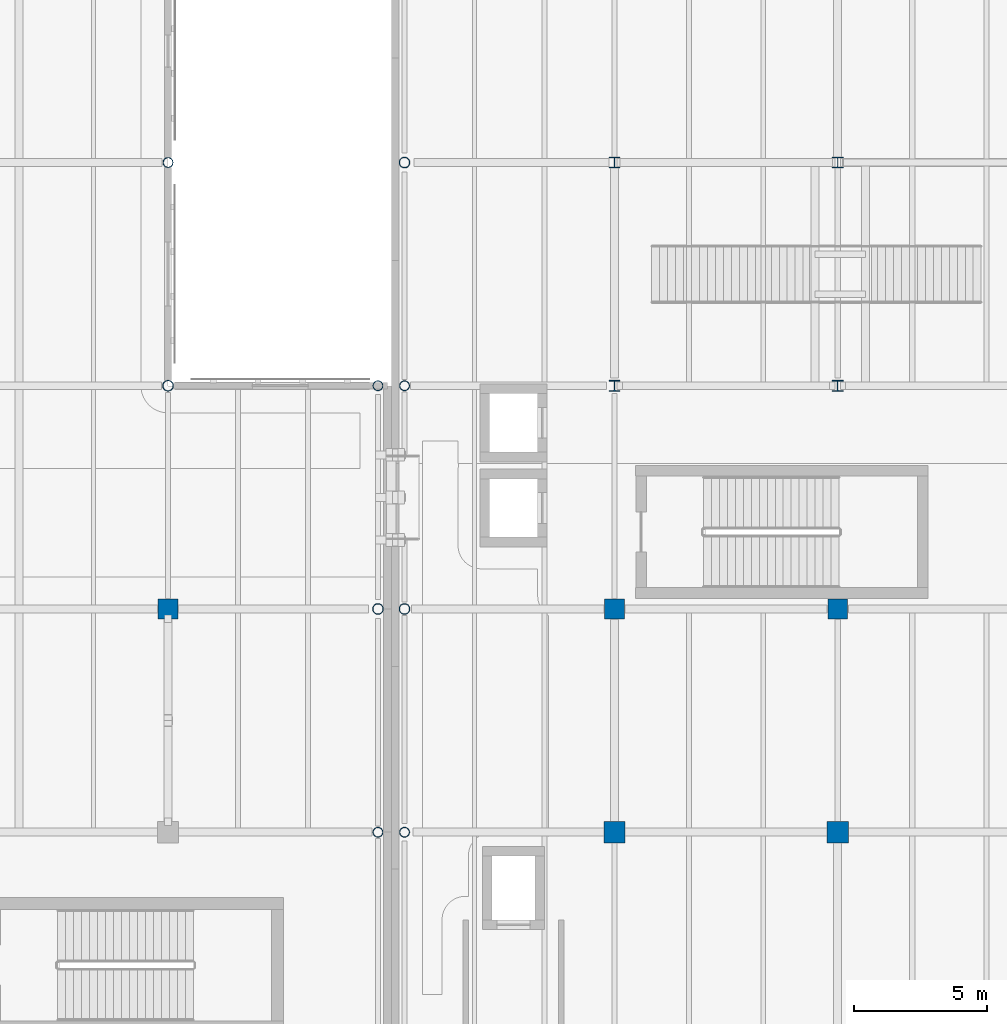
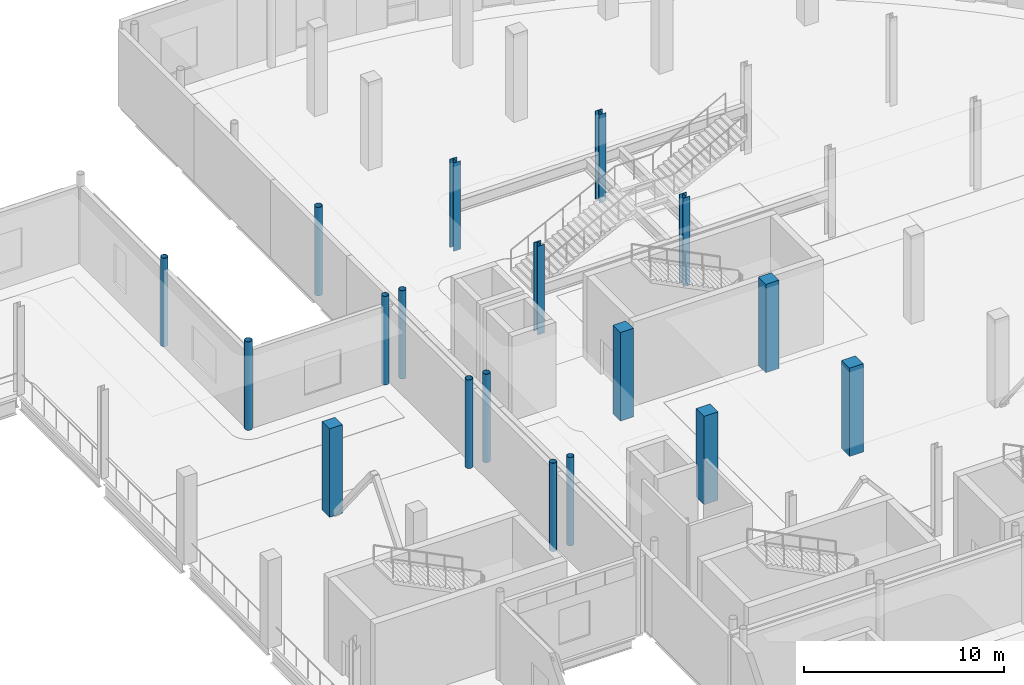
# One storey, part 9 of 110: 18 columns.
"""IFC4 building model written with IfcOpenShell, lengths in metres."""

from ifc_helpers import new_model, si_unit, direction, frame, origin, origin_2d, place, context, subcontext, project, spatial, rectangle, hollow_circle, i_section, extrude, material, material_profile, profile_set, type_object, element, save


model = new_model("IFC4")

# Units and contexts
model_context = context("Model", 3, precision=1e-05, world=origin(), true_north=direction((0.0, 1.0)))
body_context = subcontext(model_context, "Body", "Model", "MODEL_VIEW")
ifc_project = project(units=[si_unit("LENGTHUNIT", "METRE"), si_unit("AREAUNIT", "SQUARE_METRE"), si_unit("VOLUMEUNIT", "CUBIC_METRE"), si_unit("PLANEANGLEUNIT", "RADIAN"), si_unit("MASSUNIT", "GRAM", prefix="KILO"), si_unit("THERMODYNAMICTEMPERATUREUNIT", "KELVIN")], contexts=[model_context])

# Site, building, storey
site_placement = place(None, origin())
site = spatial("IfcSite", under=ifc_project, at=site_placement, CompositionType="ELEMENT")
building_placement = place(site_placement, origin())
building = spatial("IfcBuilding", under=site, at=building_placement, Name="Lustrewick Department Store", CompositionType="ELEMENT")
storey_placement = place(building_placement, frame((0.0, 0.0, 6.0)))
storey = spatial("IfcBuildingStorey", under=building, at=storey_placement, Name="L02", CompositionType="ELEMENT", Elevation=6.0)

# Columns
ifc_material_1 = material(Name="Structural steel Q355C", Category="steel")
ifc_material_profile_1 = material_profile(ifc_material_1, i_section(OverallWidth=0.405029296875, OverallDepth=0.4140625, WebThickness=0.01806640625, FlangeThickness=0.028076171875, FilletRadius=0.02197265625, at=origin_2d()), Name="HW 414x405x18x28")
ifc_profile_set_1 = profile_set([ifc_material_profile_1], Name="Structural steel Q355C")
column_type_1 = type_object("IfcColumnType", Name="C10", PredefinedType="COLUMN", material=ifc_profile_set_1)
for number, where, z_axis, x_axis, name in (
    (1, (117.60009765625, 84.0, 0.0), (0.0, 0.0, 1.0), (1.0, 0.0, 0.0), "L02 V4 Column C10"),
    (2, (126.0, 84.0, 0.0), (0.0, 0.0, 1.0), (1.0, 0.0, 0.0), "L02 V4 Column C10"),
):
    element("IfcColumn", number, at=place(storey_placement, frame(where, z_axis=z_axis, x_axis=x_axis)), inside=storey, type_object=column_type_1, Name=name, PredefinedType="COLUMN", context=body_context, shape_type="SweptSolid", body=[
        extrude(i_section(OverallWidth=0.405029296875, OverallDepth=0.4140625, WebThickness=0.01806640625, FlangeThickness=0.028076171875, FilletRadius=0.02197265625, at=origin_2d()), origin(), (0.0, 0.0, 1.0), 5.39990234375),
    ])
ifc_material_2 = material(Name="Structural steel Q355B", Category="steel")
ifc_material_profile_2 = material_profile(ifc_material_2, i_section(OverallWidth=0.39990234375, OverallDepth=0.39990234375, WebThickness=0.012939453125, FlangeThickness=0.02099609375, FilletRadius=0.02197265625, at=origin_2d()), Name="HW 400x400x13x21")
ifc_profile_set_2 = profile_set([ifc_material_profile_2], Name="Structural steel Q355B")
column_type_2 = type_object("IfcColumnType", Name="C11", PredefinedType="COLUMN", material=ifc_profile_set_2)
for number, where, z_axis, x_axis, name in (
    (3, (117.60009765625, 92.39990234375, 0.0), (0.0, 0.0, 1.0), (1.0, 0.0, 0.0), "L02 V4 Column C11"),
    (4, (126.0, 92.39990234375, 0.0), (0.0, 0.0, 1.0), (1.0, 0.0, 0.0), "L02 V4 Column C11"),
):
    element("IfcColumn", number, at=place(storey_placement, frame(where, z_axis=z_axis, x_axis=x_axis)), inside=storey, type_object=column_type_2, Name=name, PredefinedType="COLUMN", context=body_context, shape_type="SweptSolid", body=[
        extrude(i_section(OverallWidth=0.39990234375, OverallDepth=0.39990234375, WebThickness=0.012939453125, FlangeThickness=0.02099609375, FilletRadius=0.02197265625, at=origin_2d()), origin(), (0.0, 0.0, 1.0), 5.39990234375),
    ])
ifc_material_3 = material(Name="Concrete C40", Category="concrete")
ifc_material_profile_3 = material_profile(ifc_material_3, rectangle(XDim=0.800048828125, YDim=0.800048828125, at=origin_2d()), Name="RC 800x800")
ifc_profile_set_3 = profile_set([ifc_material_profile_3], Name="Concrete C40")
column_type_3 = type_object("IfcColumnType", Name="C19", PredefinedType="COLUMN", material=ifc_profile_set_3)
for number, where, z_axis, x_axis, name in (
    (5, (117.60009765625, 67.199951171875, 0.0), (0.0, 0.0, 1.0), (1.0, 0.0, 0.0), "L02 V4 Column C19"),
    (6, (126.0, 67.199951171875, 0.0), (0.0, 0.0, 1.0), (1.0, 0.0, 0.0), "L02 V4 Column C19"),
):
    element("IfcColumn", number, at=place(storey_placement, frame(where, z_axis=z_axis, x_axis=x_axis)), inside=storey, type_object=column_type_3, Name=name, PredefinedType="COLUMN", context=body_context, shape_type="SweptSolid", body=[
        extrude(rectangle(XDim=0.800048828125, YDim=0.800048828125, at=origin_2d()), origin(), (0.0, 0.0, 1.0), 5.39990234375),
    ])
ifc_material_profile_4 = material_profile(ifc_material_3, rectangle(XDim=0.75, YDim=0.75, at=origin_2d()), Name="RC 750x750")
ifc_profile_set_4 = profile_set([ifc_material_profile_4], Name="Concrete C40")
column_type_4 = type_object("IfcColumnType", Name="C20", PredefinedType="COLUMN", material=ifc_profile_set_4)
for number, where, z_axis, x_axis, name in (
    (7, (100.800048828125, 75.60009765625, 0.0), (0.0, 0.0, 1.0), (1.0, 0.0, 0.0), "L02 V2 Column C20"),
    (8, (117.60009765625, 75.60009765625, 0.0), (0.0, 0.0, 1.0), (1.0, 0.0, 0.0), "L02 V4 Column C20"),
    (9, (126.0, 75.60009765625, 0.0), (0.0, 0.0, 1.0), (1.0, 0.0, 0.0), "L02 V4 Column C20"),
):
    element("IfcColumn", number, at=place(storey_placement, frame(where, z_axis=z_axis, x_axis=x_axis)), inside=storey, type_object=column_type_4, Name=name, PredefinedType="COLUMN", context=body_context, shape_type="SweptSolid", body=[
        extrude(rectangle(XDim=0.75, YDim=0.75, at=origin_2d()), origin(), (0.0, 0.0, 1.0), 5.39990234375),
    ])
ifc_material_profile_5 = material_profile(ifc_material_1, hollow_circle(Radius=0.202880859375, WallThickness=0.01611328125, at=origin_2d()), Name="CHS 406x16")
ifc_profile_set_5 = profile_set([ifc_material_profile_5], Name="Structural steel Q355C")
column_type_5 = type_object("IfcColumnType", Name="CE03", PredefinedType="COLUMN", material=ifc_profile_set_5)
for number, where, z_axis, x_axis, name in (
    (10, (100.800048828125, 84.0, 0.0), (0.0, 0.0, 1.0), (1.0, 0.0, 0.0), "L02 V2 Column CE03"),
    (11, (108.699951171875, 75.60009765625, 0.0), (0.0, 0.0, 1.0), (1.0, 0.0, 0.0), "L02 V2 Column CE03"),
    (12, (109.699951171875, 75.60009765625, 0.0), (0.0, 0.0, 1.0), (1.0, 0.0, 0.0), "L02 V4 Column CE03"),
    (13, (109.699951171875, 92.39990234375, 0.0), (0.0, 0.0, 1.0), (1.0, 0.0, 0.0), "L02 V4 Column CE03"),
):
    element("IfcColumn", number, at=place(storey_placement, frame(where, z_axis=z_axis, x_axis=x_axis)), inside=storey, type_object=column_type_5, Name=name, PredefinedType="COLUMN", context=body_context, shape_type="SweptSolid", body=[
        extrude(hollow_circle(Radius=0.202880859375, WallThickness=0.01611328125, at=origin_2d()), origin(), (0.0, 0.0, 1.0), 5.39990234375),
    ])
ifc_material_profile_6 = material_profile(ifc_material_2, hollow_circle(Radius=0.1884765625, WallThickness=0.013916015625, at=origin_2d()), Name="CHS 377x14")
ifc_profile_set_6 = profile_set([ifc_material_profile_6], Name="Structural steel Q355B")
column_type_6 = type_object("IfcColumnType", Name="CE04", PredefinedType="COLUMN", material=ifc_profile_set_6)
for number, where, z_axis, x_axis, name in (
    (14, (100.800048828125, 92.39990234375, 0.0), (0.0, 0.0, 1.0), (1.0, 0.0, 0.0), "L02 V2 Column CE04"),
    (15, (108.699951171875, 67.199951171875, 0.0), (0.0, 0.0, 1.0), (1.0, 0.0, 0.0), "L02 V2 Column CE04"),
    (16, (108.699951171875, 84.0, 0.0), (0.0, 0.0, 1.0), (1.0, 0.0, 0.0), "L02 V2 Column CE04"),
    (17, (109.699951171875, 67.199951171875, 0.0), (0.0, 0.0, 1.0), (1.0, 0.0, 0.0), "L02 V4 Column CE04"),
    (18, (109.699951171875, 84.0, 0.0), (0.0, 0.0, 1.0), (1.0, 0.0, 0.0), "L02 V4 Column CE04"),
):
    element("IfcColumn", number, at=place(storey_placement, frame(where, z_axis=z_axis, x_axis=x_axis)), inside=storey, type_object=column_type_6, Name=name, PredefinedType="COLUMN", context=body_context, shape_type="SweptSolid", body=[
        extrude(hollow_circle(Radius=0.1884765625, WallThickness=0.013916015625, at=origin_2d()), origin(), (0.0, 0.0, 1.0), 5.39990234375),
    ])

save(model, "model.ifc")
